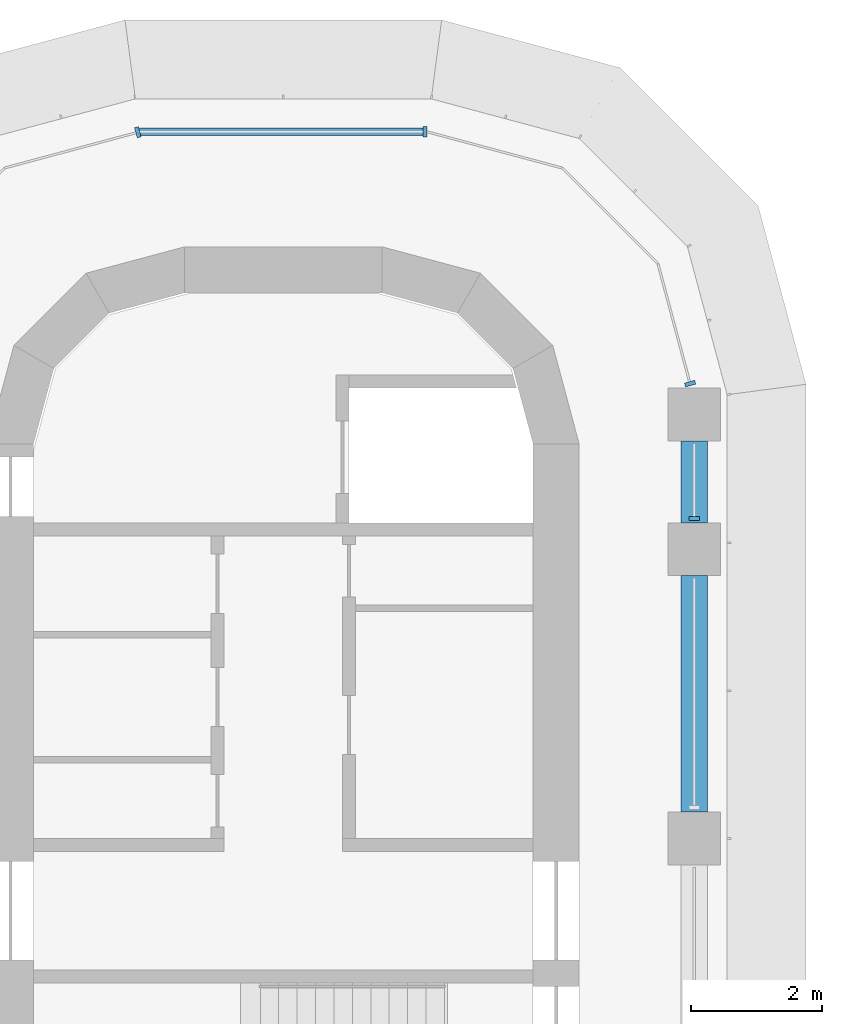
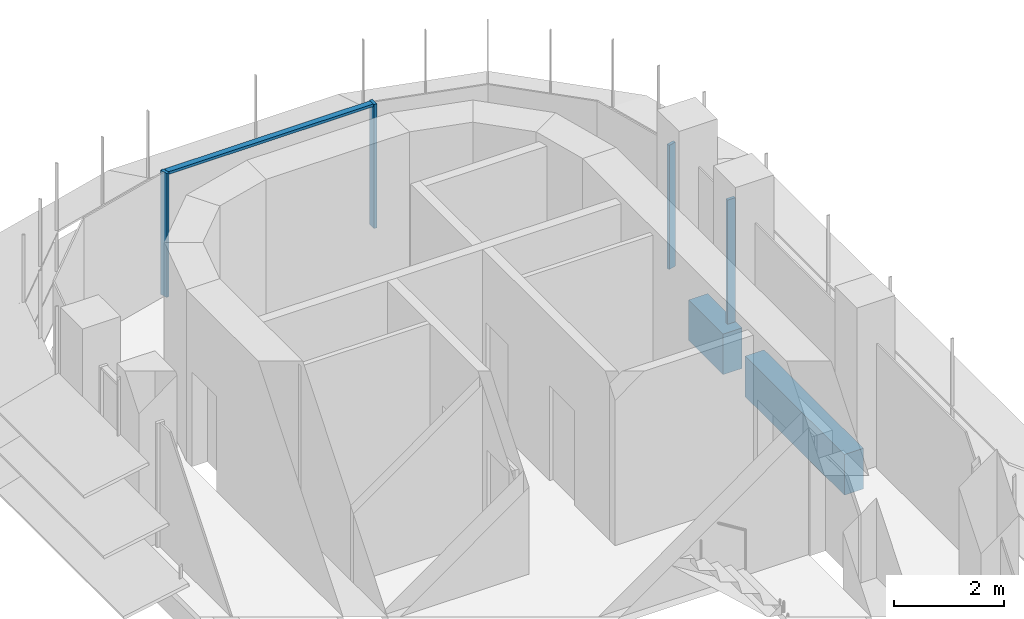
# One storey, part 9 of 19: 5 members, 2 beams, 4 elements without a shape of their own.
"""IFC4 building model written with IfcOpenShell, lengths in metres."""

from ifc_helpers import new_model, si_unit, direction, frame, origin, origin_2d, place, context, subcontext, project, spatial, polyline, rectangle, outline, extrude, source, transform, mapped, material, material_profile, profile_set, type_object, element, aggregate, save


model = new_model("IFC4")

# Units and contexts
model_context = context("Model", 3, precision=1e-05, world=origin(), true_north=direction((0.0, 1.0)))
body_context = subcontext(model_context, "Body", "Model", "MODEL_VIEW")
ifc_project = project(units=[si_unit("LENGTHUNIT", "METRE"), si_unit("AREAUNIT", "SQUARE_METRE"), si_unit("VOLUMEUNIT", "CUBIC_METRE"), si_unit("PLANEANGLEUNIT", "RADIAN"), si_unit("MASSUNIT", "GRAM", prefix="KILO")], contexts=[model_context])

# Site, building, storey
site_placement = place(None, origin())
site = spatial("IfcSite", under=ifc_project, at=site_placement, CompositionType="ELEMENT")
building_placement = place(site_placement, origin())
building = spatial("IfcBuilding", under=site, at=building_placement, Name="Zarbagh Exchange Tower", CompositionType="ELEMENT")
storey_placement = place(building_placement, frame((0.0, 0.0, 167.60009765625)))
storey = spatial("IfcBuildingStorey", under=building, at=storey_placement, Name="L40", CompositionType="ELEMENT", Elevation=167.60009765625)

# Beams
ifc_material_1 = material(Name="Concrete C50/60", Category="concrete")
ifc_material_profile = material_profile(ifc_material_1, rectangle(XDim=0.39990234375, YDim=0.89990234375, at=origin_2d()), Name="RC spandrel beam 400 x 900 C50/60")
ifc_profile_set = profile_set([ifc_material_profile], Name="Concrete C50/60")
beam_type = type_object("IfcBeamType", Name="RC spandrel beam 400 x 900 C50/60", PredefinedType="SPANDREL", material=ifc_profile_set)
beam_1_placement = place(storey_placement, frame((6.25, 26.300048828125, -0.60009765625), z_axis=(0.0, -1.0, 0.0), x_axis=(1.0, 0.0, 0.0)))
element("IfcBeam", 1, at=beam_1_placement, inside=storey, type_object=beam_type, Name="RC spandrel beam", PredefinedType="SPANDREL", context=body_context, shape_type="SweptSolid", body=[
    extrude(rectangle(XDim=0.39990234375, YDim=0.89990234375, at=origin_2d()), origin(), (0.0, 0.0, 1.0), 1.25),
])
beam_2_placement = place(storey_placement, frame((6.25, 24.25, -0.60009765625), z_axis=(0.0, -1.0, 0.0), x_axis=(1.0, 0.0, 0.0)))
element("IfcBeam", 2, at=beam_2_placement, inside=storey, type_object=beam_type, Name="RC spandrel beam", PredefinedType="SPANDREL", context=body_context, shape_type="SweptSolid", body=[
    extrude(rectangle(XDim=0.39990234375, YDim=0.89990234375, at=origin_2d()), origin(), (0.0, 0.0, 1.0), 3.60009765625),
])

# Curtain wall, member
ifc_material_2 = material(Name="Anodised aluminium frame and glazing", Category="aluminium")
curtain_wall_type = type_object("IfcCurtainWallType", Name="CWB Ribbon glazing, upper zones", PredefinedType="NOTDEFINED", material=ifc_material_2)
curtain_wall_1_placement = place(storey_placement, origin())
curtain_wall_1 = element("IfcCurtainWall", 3, at=curtain_wall_1_placement, inside=storey, type_object=curtain_wall_type, Name="CWB20 curtain wall", PredefinedType="NOTDEFINED")
ifc_material_3 = material(Name="Anodised aluminium frame", Category="aluminium")
member_type_1 = type_object("IfcMemberType", Name="MUB Mullion, anodised aluminium frame", PredefinedType="MULLION", material=ifc_material_3)
shared_shape_1 = source(origin(), body_context, "Body", "SweptSolid", [
    extrude(outline(polyline([(0.0, -0.080078125), (0.06005859375, -0.080078125), (0.06005859375, 0.080078125), (0.0, 0.080078125), (0.0, -0.080078125)])), origin(), (0.0, 0.0, 1.0), 2.75),
])
placement = place(storey_placement, origin())
member_1 = element("IfcMember", 4, at=placement, type_object=member_type_1, Name="CWB20 mullion 4.1", PredefinedType="MULLION", context=body_context, shape_type="MappedRepresentation", body=[
    mapped(shared_shape_1, transform((6.25, 25.090087890625, 0.0), x_axis=(0.0, 1.0, 0.0), y_axis=(-1.0, 0.0, 0.0), z_axis=(0.0, 0.0, 1.0))),
])
aggregate(curtain_wall_1, [member_1])

curtain_wall_2_placement = place(storey_placement, origin())
curtain_wall_2 = element("IfcCurtainWall", 5, at=curtain_wall_2_placement, inside=storey, type_object=curtain_wall_type, Name="CWB21 curtain wall", PredefinedType="NOTDEFINED")
member_2 = element("IfcMember", 6, at=placement, type_object=member_type_1, Name="CWB21 mullion 1.1", PredefinedType="MULLION", context=body_context, shape_type="MappedRepresentation", body=[
    mapped(shared_shape_1, transform((6.19482421875, 27.139892578125, 0.0), x_axis=(-0.258824779902, 0.965924289636, 0.0), y_axis=(-0.965924289636, -0.258824779902, 0.0), z_axis=(0.0, 0.0, 1.0))),
])
aggregate(curtain_wall_2, [member_2])

curtain_wall_3_placement = place(storey_placement, origin())
curtain_wall_3 = element("IfcCurtainWall", 7, at=curtain_wall_3_placement, inside=storey, type_object=curtain_wall_type, Name="CWB24 curtain wall", PredefinedType="NOTDEFINED")
member_3 = element("IfcMember", 8, at=placement, type_object=member_type_1, Name="CWB24 mullion 1.1", PredefinedType="MULLION", context=body_context, shape_type="MappedRepresentation", body=[
    mapped(shared_shape_1, transform((2.18408203125, 31.0, 0.0), x_axis=(-1.0, 0.0, 0.0), y_axis=(0.0, -1.0, 0.0), z_axis=(0.0, 0.0, 1.0))),
])

curtain_wall_4_placement = place(storey_placement, origin())
curtain_wall_4 = element("IfcCurtainWall", 9, at=curtain_wall_4_placement, inside=storey, type_object=curtain_wall_type, Name="CWB25 curtain wall", PredefinedType="NOTDEFINED")
member_4 = element("IfcMember", 10, at=placement, type_object=member_type_1, Name="CWB25 mullion 1.1", PredefinedType="MULLION", context=body_context, shape_type="MappedRepresentation", body=[
    mapped(shared_shape_1, transform((-2.18408203125, 31.0, 0.0), x_axis=(-0.965924289636, -0.258824779902, 0.0), y_axis=(0.258824779902, -0.965924289636, 0.0), z_axis=(0.0, 0.0, 1.0))),
])
aggregate(curtain_wall_4, [member_4])

# Member
member_type_2 = type_object("IfcMemberType", Name="TRB Transom, anodised aluminium frame", PredefinedType="USERDEFINED", material=ifc_material_3)
shared_shape_2 = source(origin(), body_context, "Body", "SweptSolid", [
    extrude(outline(polyline([(-0.06005859375, -0.06005859375), (0.0, -0.06005859375), (0.0, 0.06005859375), (-0.06005859375, 0.06005859375), (-0.06005859375, -0.06005859375)])), origin(), (0.0, 0.0, 1.0), 4.308349609375),
])
member_5 = element("IfcMember", 11, at=placement, type_object=member_type_2, Name="CWB24 transom 1.1", ObjectType="TRANSOM", PredefinedType="USERDEFINED", context=body_context, shape_type="MappedRepresentation", body=[
    mapped(shared_shape_2, transform((2.124267578125, 31.0, 2.75), x_axis=(0.0, 0.0, 1.0), y_axis=(0.0, 1.0, 0.0), z_axis=(-1.0, 0.0, 0.0))),
])

aggregate(curtain_wall_3, [member_3, member_5])

save(model, "model.ifc")
